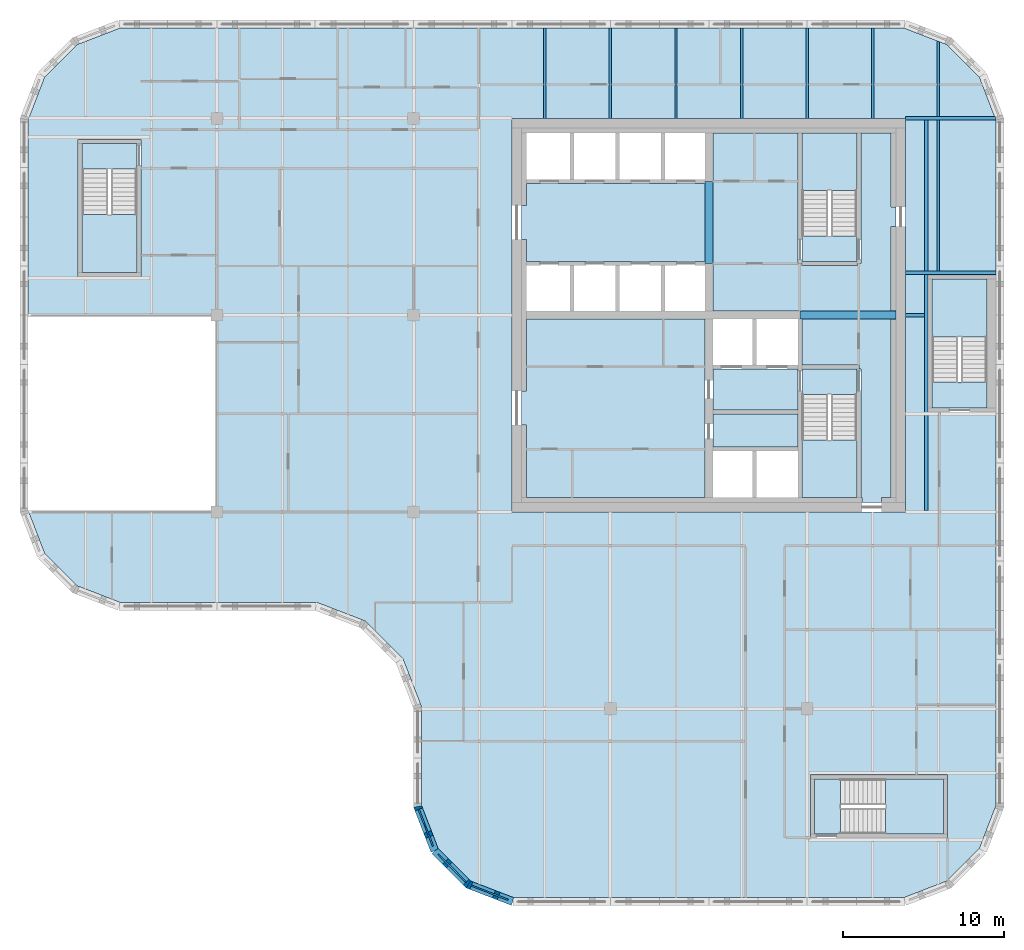
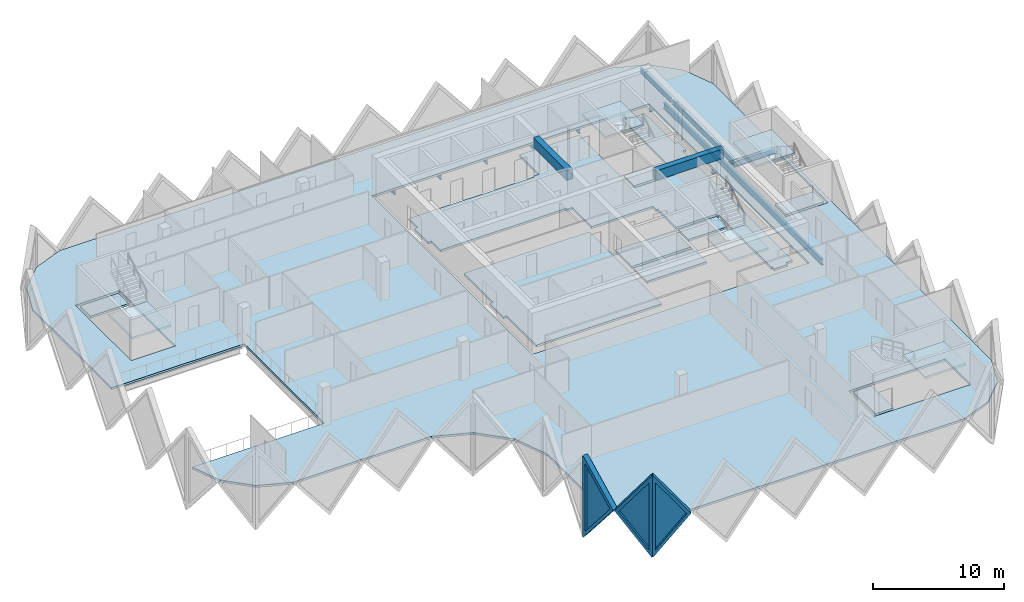
# One storey, part 2 of 11: 15 slabs, 14 beams, 3 plates, 3 walls, 3 openings, 5 elements without a shape of their own.
"""IFC4 building model written with IfcOpenShell, lengths in metres."""

from ifc_helpers import new_model, si_unit, direction, frame, origin, origin_2d, place, context, subcontext, project, spatial, polyline, rectangle, i_section, outline, extrude, faceted_brep, source, transform, mapped, material, layer, layer_set, material_profile, profile_set, type_object, element, fill, aggregate, save


model = new_model("IFC4")

# Units and contexts
model_context = context("Model", 3, precision=1e-05, world=origin(), true_north=direction((0.0, 1.0)))
body_context = subcontext(model_context, "Body", "Model", "MODEL_VIEW")
ifc_project = project(units=[si_unit("LENGTHUNIT", "METRE"), si_unit("AREAUNIT", "SQUARE_METRE"), si_unit("VOLUMEUNIT", "CUBIC_METRE"), si_unit("PLANEANGLEUNIT", "RADIAN"), si_unit("MASSUNIT", "GRAM", prefix="KILO")], contexts=[model_context])

# Site, building, storey
site_placement = place(None, origin())
site = spatial("IfcSite", under=ifc_project, at=site_placement, CompositionType="ELEMENT")
building_placement = place(site_placement, origin())
building = spatial("IfcBuilding", under=site, at=building_placement, Name="Tessera Gate Towers", CompositionType="ELEMENT")
storey_placement = place(building_placement, frame((0.0, 0.0, 166.800048828125)))
storey = spatial("IfcBuildingStorey", under=building, at=storey_placement, Name="L41", CompositionType="ELEMENT", Elevation=166.800048828125)

# Beams
ifc_material_1 = material(Name="Concrete C50/60", Category="concrete")
ifc_material_profile_1 = material_profile(ifc_material_1, rectangle(XDim=0.5, YDim=0.89990234375, at=origin_2d()), Name="RC 500x900")
ifc_profile_set_1 = profile_set([ifc_material_profile_1], Name="Concrete C50/60")
beam_type_1 = type_object("IfcBeamType", Name="COUPLING BEAM 500x900 C50/60", PredefinedType="BEAM", material=ifc_profile_set_1)
beam_1_placement = place(storey_placement, frame((48.35009765625, 36.60009765625, 3.14990234375), z_axis=(1.0, 0.0, 0.0), x_axis=(0.0, 1.0, 0.0)))
element("IfcBeam", 1, at=beam_1_placement, inside=storey, type_object=beam_type_1, Name="L41 coupling beam 1", PredefinedType="BEAM", context=body_context, shape_type="SweptSolid", body=[
    extrude(rectangle(XDim=0.5, YDim=0.89990234375, at=origin_2d()), origin(), (0.0, 0.0, 1.0), 5.949951171875),
])
beam_2_placement = place(storey_placement, frame((42.699951171875, 39.800048828125, 3.14990234375), z_axis=(0.0, 1.0, 0.0), x_axis=(-1.0, 0.0, 0.0)))
element("IfcBeam", 2, at=beam_2_placement, inside=storey, type_object=beam_type_1, Name="L41 coupling beam 2", PredefinedType="BEAM", context=body_context, shape_type="SweptSolid", body=[
    extrude(rectangle(XDim=0.5, YDim=0.89990234375, at=origin_2d()), origin(), (0.0, 0.0, 1.0), 5.099853515625),
])
ifc_material_2 = material(Name="Steel 350W", Category="steel")
ifc_material_profile_2 = material_profile(ifc_material_2, i_section(OverallWidth=0.208984375, OverallDepth=0.532958984375, WebThickness=0.01025390625, FlangeThickness=0.015625, at=origin_2d()), Name="W530x92")
ifc_profile_set_2 = profile_set([ifc_material_profile_2], Name="Steel 350W")
beam_type_2 = type_object("IfcBeamType", Name="FLOOR GIRDER W530x92", PredefinedType="BEAM", material=ifc_profile_set_2)
beam_3_placement = place(storey_placement, frame((54.89892578125, 36.60009765625, -0.466552734375), z_axis=(1.0, 0.0, 0.0), x_axis=(0.0, 1.0, 0.0)))
element("IfcBeam", 3, at=beam_3_placement, inside=storey, type_object=beam_type_2, Name="T1-GD-L41-4600", PredefinedType="BEAM", context=body_context, shape_type="SweptSolid", body=[
    extrude(i_section(OverallWidth=0.208984375, OverallDepth=0.532958984375, WebThickness=0.01025390625, FlangeThickness=0.015625, at=origin_2d()), origin(), (0.0, 0.0, 1.0), 1.176513671875),
])
beam_4_placement = place(storey_placement, frame((54.90087890625, 48.800048828125, -0.466552734375), z_axis=(1.0, 0.0, 0.0), x_axis=(0.0, 1.0, 0.0)))
element("IfcBeam", 4, at=beam_4_placement, inside=storey, type_object=beam_type_2, Name="T1-GD-L41-4604", PredefinedType="BEAM", context=body_context, shape_type="SweptSolid", body=[
    extrude(i_section(OverallWidth=0.208984375, OverallDepth=0.532958984375, WebThickness=0.01025390625, FlangeThickness=0.015625, at=origin_2d()), origin(), (0.0, 0.0, 1.0), 5.564208984375),
])
beam_5_placement = place(storey_placement, frame((54.89892578125, 39.219970703125, -0.466552734375), z_axis=(1.0, 0.0, 0.0), x_axis=(0.0, 1.0, 0.0)))
element("IfcBeam", 5, at=beam_5_placement, inside=storey, type_object=beam_type_2, Name="T1-GD-L41-4622", PredefinedType="BEAM", context=body_context, shape_type="SweptSolid", body=[
    extrude(i_section(OverallWidth=0.208984375, OverallDepth=0.532958984375, WebThickness=0.01025390625, FlangeThickness=0.015625, at=origin_2d()), origin(), (0.0, 0.0, 1.0), 5.60205078125),
])
beam_6_placement = place(storey_placement, frame((56.179931640625, 24.50439453125, -0.466552734375), z_axis=(0.0, 1.0, 0.0), x_axis=(-1.0, 0.0, 0.0)))
element("IfcBeam", 6, at=beam_6_placement, inside=storey, type_object=beam_type_2, Name="T1-GD-L41-4623", PredefinedType="BEAM", context=body_context, shape_type="SweptSolid", body=[
    extrude(i_section(OverallWidth=0.208984375, OverallDepth=0.532958984375, WebThickness=0.01025390625, FlangeThickness=0.015625, at=origin_2d()), origin(), (0.0, 0.0, 1.0), 24.191162109375),
])
ifc_material_3 = material(Name="Steel 350W", Category="steel")
ifc_material_profile_3 = material_profile(ifc_material_3, i_section(OverallWidth=0.153076171875, OverallDepth=0.455078125, WebThickness=0.008056640625, FlangeThickness=0.01318359375, at=origin_2d()), Name="W460x60")
ifc_profile_set_3 = profile_set([ifc_material_profile_3], Name="Steel 350W")
beam_type_3 = type_object("IfcBeamType", Name="FLOOR SECONDARY W460x60", PredefinedType="BEAM", material=ifc_profile_set_3)
for number, where, z_axis, x_axis, name in (
    (7, (32.533203125, 48.800048828125, -0.427490234375), (0.0, 1.0, 0.0), (-1.0, 0.0, 0.0), "T1-BM-L41-4645"),
    (8, (36.60009765625, 48.800048828125, -0.427490234375), (0.0, 1.0, 0.0), (-1.0, 0.0, 0.0), "T1-BM-L41-4646"),
    (9, (40.666748046875, 48.800048828125, -0.427490234375), (0.0, 1.0, 0.0), (-1.0, 0.0, 0.0), "T1-BM-L41-4649"),
    (10, (44.7333984375, 48.800048828125, -0.427490234375), (0.0, 1.0, 0.0), (-1.0, 0.0, 0.0), "T1-BM-L41-4652"),
    (11, (48.800048828125, 48.800048828125, -0.427490234375), (0.0, 1.0, 0.0), (-1.0, 0.0, 0.0), "T1-BM-L41-4653"),
    (12, (52.86669921875, 48.800048828125, -0.427490234375), (0.0, 1.0, 0.0), (-1.0, 0.0, 0.0), "T1-BM-L41-4657"),
):
    element("IfcBeam", number, at=place(storey_placement, frame(where, z_axis=z_axis, x_axis=x_axis)), inside=storey, type_object=beam_type_3, Name=name, PredefinedType="BEAM", context=body_context, shape_type="SweptSolid", body=[
        extrude(i_section(OverallWidth=0.153076171875, OverallDepth=0.455078125, WebThickness=0.008056640625, FlangeThickness=0.01318359375, at=origin_2d()), origin(), (0.0, 0.0, 1.0), 5.599853515625),
    ])
beam_7_placement = place(storey_placement, frame((56.933349609375, 39.324462890625, -0.427490234375), z_axis=(0.0, 1.0, 0.0), x_axis=(-1.0, 0.0, 0.0)))
element("IfcBeam", 13, at=beam_7_placement, inside=storey, type_object=beam_type_3, Name="T1-BM-L41-4662", PredefinedType="BEAM", context=body_context, shape_type="SweptSolid", body=[
    extrude(i_section(OverallWidth=0.153076171875, OverallDepth=0.455078125, WebThickness=0.008056640625, FlangeThickness=0.01318359375, at=origin_2d()), origin(), (0.0, 0.0, 1.0), 9.37109375),
])
beam_8_placement = place(storey_placement, frame((56.933349609375, 48.904541015625, -0.427490234375), z_axis=(0.0, 1.0, 0.0), x_axis=(-1.0, 0.0, 0.0)))
element("IfcBeam", 14, at=beam_8_placement, inside=storey, type_object=beam_type_3, Name="T1-BM-L41-4663", PredefinedType="BEAM", context=body_context, shape_type="SweptSolid", body=[
    extrude(i_section(OverallWidth=0.153076171875, OverallDepth=0.455078125, WebThickness=0.008056640625, FlangeThickness=0.01318359375, at=origin_2d()), origin(), (0.0, 0.0, 1.0), 4.675048828125),
])

# Slabs
ifc_material_4 = material(Name="Concrete C35/45", Category="concrete")
ifc_layer_1 = layer(ifc_material_4, 0.199951171875)
ifc_layer_set_1 = layer_set([ifc_layer_1], Name="COMPOSITE FLOOR 200")
slab_type_1 = type_object("IfcSlabType", Name="COMPOSITE FLOOR 200", PredefinedType="FLOOR", material=ifc_layer_set_1)
slab_1_placement = place(storey_placement, frame((0.0, 0.0, -0.199951171875)))
element("IfcSlab", 15, at=slab_1_placement, inside=storey, type_object=slab_type_1, Name="T1-L41", PredefinedType="FLOOR", context=body_context, shape_type="SweptSolid", body=[
    extrude(outline(polyline([(0.5, 36.60009765625), (12.199951171875, 36.60009765625), (12.199951171875, 24.39990234375), (0.535888671875, 24.39990234375), (1.526123046875, 21.8330078125), (3.533203125, 19.826171875), (6.193115234375, 18.800048828125), (18.39306640625, 18.800048828125), (21.42431640625, 17.630615234375), (23.730712890625, 15.32421875), (24.89990234375, 12.293212890625), (24.89990234375, 6.193115234375), (25.926025390625, 3.533203125), (27.93310546875, 1.526123046875), (30.593017578125, 0.5), (54.806884765625, 0.5), (57.466796875, 1.526123046875), (59.473876953125, 3.533203125), (60.5, 6.193115234375), (60.5, 48.706787109375), (59.473876953125, 51.366943359375), (57.466796875, 53.373779296875), (54.806884765625, 54.39990234375), (6.193115234375, 54.39990234375), (3.533203125, 53.373779296875), (1.526123046875, 51.366943359375), (0.5, 48.706787109375), (0.5, 36.60009765625)]), holes=[polyline([(3.60009765625, 39.0), (3.60009765625, 47.5), (7.5, 47.5), (7.5, 39.0), (3.60009765625, 39.0)]), polyline([(30.5, 24.39990234375), (30.5, 48.800048828125), (54.89990234375, 48.800048828125), (54.89990234375, 24.39990234375), (30.5, 24.39990234375)]), polyline([(49.0, 4.199951171875), (49.0, 8.10009765625), (57.5, 8.10009765625), (57.5, 4.199951171875), (49.0, 4.199951171875)]), polyline([(56.300048828125, 30.60009765625), (56.300048828125, 39.10009765625), (60.199951171875, 39.10009765625), (60.199951171875, 30.60009765625), (56.300048828125, 30.60009765625)])]), origin(), (0.0, 0.0, 1.0), 0.199951171875),
])
ifc_material_5 = material(Name="Concrete C35/45", Category="concrete")
ifc_layer_2 = layer(ifc_material_5, 0.199951171875)
ifc_layer_set_2 = layer_set([ifc_layer_2], Name="CORE FLOOR SLAB 200")
slab_type_2 = type_object("IfcSlabType", Name="CORE FLOOR SLAB 200", PredefinedType="FLOOR", material=ifc_layer_set_2)
slab_2_placement = place(storey_placement, frame((0.0, 0.0, -0.199951171875)))
element("IfcSlab", 16, at=slab_2_placement, inside=storey, type_object=slab_type_2, Name="L41 core floor slab", PredefinedType="FLOOR", context=body_context, shape_type="SweptSolid", body=[
    extrude(outline(polyline([(42.449951171875, 44.89990234375), (42.449951171875, 44.77490234375), (31.39990234375, 44.77490234375), (31.39990234375, 43.39990234375), (31.10009765625, 43.39990234375), (31.10009765625, 41.300048828125), (31.39990234375, 41.300048828125), (31.39990234375, 39.925048828125), (42.449951171875, 39.925048828125), (42.449951171875, 39.800048828125), (42.949951171875, 39.800048828125), (42.949951171875, 36.85009765625), (48.35009765625, 36.85009765625), (48.35009765625, 36.35009765625), (48.47509765625, 36.35009765625), (48.47509765625, 33.52490234375), (52.0, 33.52490234375), (52.0, 33.27490234375), (52.125, 33.27490234375), (52.125, 25.300048828125), (52.199951171875, 25.300048828125), (52.199951171875, 25.0), (53.39990234375, 25.0), (53.39990234375, 25.300048828125), (54.0, 25.300048828125), (54.0, 36.320068359375), (54.300048828125, 36.320068359375), (54.300048828125, 36.8798828125), (54.0, 36.8798828125), (54.0, 42.10009765625), (54.300048828125, 42.10009765625), (54.300048828125, 43.300048828125), (54.0, 43.300048828125), (54.0, 47.89990234375), (52.125, 47.89990234375), (52.125, 39.800048828125), (51.875, 39.800048828125), (51.875, 39.675048828125), (48.47509765625, 39.675048828125), (48.47509765625, 39.800048828125), (48.22509765625, 39.800048828125), (48.22509765625, 47.89990234375), (42.949951171875, 47.89990234375), (42.949951171875, 44.89990234375), (42.449951171875, 44.89990234375)])), origin(), (0.0, 0.0, 1.0), 0.199951171875),
])
slab_3_placement = place(storey_placement, frame((0.0, 0.0, -0.199951171875)))
element("IfcSlab", 17, at=slab_3_placement, inside=storey, type_object=slab_type_2, Name="L41 core floor slab", PredefinedType="FLOOR", context=body_context, shape_type="SweptSolid", body=[
    extrude(outline(polyline([(31.39990234375, 36.35009765625), (31.39990234375, 31.89990234375), (31.10009765625, 31.89990234375), (31.10009765625, 29.800048828125), (31.39990234375, 29.800048828125), (31.39990234375, 25.300048828125), (42.449951171875, 25.300048828125), (42.449951171875, 36.35009765625), (31.39990234375, 36.35009765625)])), origin(), (0.0, 0.0, 1.0), 0.199951171875),
])
slab_4_placement = place(storey_placement, frame((0.0, 0.0, -0.199951171875)))
element("IfcSlab", 18, at=slab_4_placement, inside=storey, type_object=slab_type_2, Name="L41 core floor slab", PredefinedType="FLOOR", context=body_context, shape_type="SweptSolid", body=[
    extrude(outline(polyline([(42.949951171875, 33.27490234375), (42.949951171875, 30.72509765625), (48.22509765625, 30.72509765625), (48.22509765625, 33.27490234375), (42.949951171875, 33.27490234375)])), origin(), (0.0, 0.0, 1.0), 0.199951171875),
])
slab_5_placement = place(storey_placement, frame((0.0, 0.0, -0.199951171875)))
element("IfcSlab", 19, at=slab_5_placement, inside=storey, type_object=slab_type_2, Name="L41 core floor slab", PredefinedType="FLOOR", context=body_context, shape_type="SweptSolid", body=[
    extrude(outline(polyline([(48.22509765625, 30.47509765625), (42.949951171875, 30.47509765625), (42.949951171875, 28.425048828125), (48.22509765625, 28.425048828125), (48.22509765625, 30.47509765625)])), origin(), (0.0, 0.0, 1.0), 0.199951171875),
])
slab_6_placement = place(storey_placement, frame((0.0, 0.0, -0.199951171875)))
element("IfcSlab", 20, at=slab_6_placement, inside=storey, type_object=slab_type_2, Name="L41 core floor slab", PredefinedType="FLOOR", context=body_context, shape_type="SweptSolid", body=[
    extrude(outline(polyline([(51.875, 31.675048828125), (51.875, 33.27490234375), (48.47509765625, 33.27490234375), (48.47509765625, 31.675048828125), (51.875, 31.675048828125)])), origin(), (0.0, 0.0, 1.0), 0.199951171875),
])
slab_7_placement = place(storey_placement, frame((0.0, 0.0, -0.199951171875)))
element("IfcSlab", 21, at=slab_7_placement, inside=storey, type_object=slab_type_2, Name="L41 core floor slab", PredefinedType="FLOOR", context=body_context, shape_type="SweptSolid", body=[
    extrude(outline(polyline([(48.47509765625, 41.52490234375), (48.47509765625, 39.925048828125), (51.875, 39.925048828125), (51.875, 41.52490234375), (48.47509765625, 41.52490234375)])), origin(), (0.0, 0.0, 1.0), 0.199951171875),
])
slab_8_placement = place(storey_placement, frame((0.0, 0.0, -0.199951171875)))
element("IfcSlab", 22, at=slab_8_placement, inside=storey, type_object=slab_type_2, Name="L41 ST3 floor landing", PredefinedType="FLOOR", context=body_context, shape_type="SweptSolid", body=[
    extrude(outline(polyline([(3.85009765625, 47.25), (3.85009765625, 45.64990234375), (7.25, 45.64990234375), (7.25, 47.25), (3.85009765625, 47.25)])), origin(), (0.0, 0.0, 1.0), 0.199951171875),
])
slab_9_placement = place(storey_placement, frame((0.0, 0.0, -0.199951171875)))
element("IfcSlab", 23, at=slab_9_placement, inside=storey, type_object=slab_type_2, Name="L41 ST4 floor landing", PredefinedType="FLOOR", context=body_context, shape_type="SweptSolid", body=[
    extrude(outline(polyline([(49.25, 4.449951171875), (50.85009765625, 4.449951171875), (50.85009765625, 7.85009765625), (49.25, 7.85009765625), (49.25, 4.449951171875)])), origin(), (0.0, 0.0, 1.0), 0.199951171875),
])
slab_10_placement = place(storey_placement, frame((0.0, 0.0, -0.199951171875)))
element("IfcSlab", 24, at=slab_10_placement, inside=storey, type_object=slab_type_2, Name="L41 ST5 floor landing", PredefinedType="FLOOR", context=body_context, shape_type="SweptSolid", body=[
    extrude(outline(polyline([(59.949951171875, 30.85009765625), (59.949951171875, 32.449951171875), (56.550048828125, 32.449951171875), (56.550048828125, 30.85009765625), (59.949951171875, 30.85009765625)])), origin(), (0.0, 0.0, 1.0), 0.199951171875),
])

# Stair, slab
ifc_material_6 = material(Name="Concrete C40/50", Category="concrete")
stair_type_1 = type_object("IfcStairType", Name="EXIT STAIR ST1 1600", PredefinedType="HALF_TURN_STAIR", material=ifc_material_6)
stair_1_placement = place(storey_placement, origin())
stair_1 = element("IfcStair", 25, at=stair_1_placement, inside=storey, type_object=stair_type_1, Name="L41 Protected Exit Stair ST1", PredefinedType="HALF_TURN_STAIR")
ifc_material_7 = material(Name="Concrete C40/50", Category="concrete")
ifc_layer_3 = layer(ifc_material_7, 0.199951171875)
ifc_layer_set_3 = layer_set([ifc_layer_3], Name="EXIT STAIR LANDING 200")
slab_type_3 = type_object("IfcSlabType", Name="EXIT STAIR LANDING 200", PredefinedType="LANDING", material=ifc_layer_set_3)
slab_11_placement = place(storey_placement, frame((0.0, 0.0, 1.699951171875)))
slab_11 = element("IfcSlab", 26, at=slab_11_placement, type_object=slab_type_3, Name="ST1 landing 1", PredefinedType="LANDING", context=body_context, shape_type="SweptSolid", body=[
    extrude(outline(polyline([(48.47509765625, 28.875), (48.47509765625, 25.300048828125), (51.875, 25.300048828125), (51.875, 28.875), (48.47509765625, 28.875)])), origin(), (0.0, 0.0, 1.0), 0.199951171875),
])
aggregate(stair_1, [slab_11])

ifc_material_8 = material(Name="Concrete C40/50", Category="concrete")
stair_type_2 = type_object("IfcStairType", Name="EXIT STAIR ST2 1600", PredefinedType="HALF_TURN_STAIR", material=ifc_material_8)
stair_2_placement = place(storey_placement, origin())
stair_2 = element("IfcStair", 27, at=stair_2_placement, inside=storey, type_object=stair_type_2, Name="L41 Protected Exit Stair ST2", PredefinedType="HALF_TURN_STAIR")
slab_12_placement = place(storey_placement, frame((0.0, 0.0, 1.699951171875)))
slab_12 = element("IfcSlab", 28, at=slab_12_placement, type_object=slab_type_3, Name="ST2 landing 1", PredefinedType="LANDING", context=body_context, shape_type="SweptSolid", body=[
    extrude(outline(polyline([(51.875, 44.324951171875), (51.875, 47.89990234375), (48.47509765625, 47.89990234375), (48.47509765625, 44.324951171875), (51.875, 44.324951171875)])), origin(), (0.0, 0.0, 1.0), 0.199951171875),
])
aggregate(stair_2, [slab_12])

ifc_material_9 = material(Name="Concrete C40/50", Category="concrete")
stair_type_3 = type_object("IfcStairType", Name="EXIT STAIR ST3 1600", PredefinedType="HALF_TURN_STAIR", material=ifc_material_9)
stair_3_placement = place(storey_placement, origin())
stair_3 = element("IfcStair", 29, at=stair_3_placement, inside=storey, type_object=stair_type_3, Name="L41 West Exit Stair ST3", PredefinedType="HALF_TURN_STAIR")
slab_13_placement = place(storey_placement, frame((0.0, 0.0, 1.699951171875)))
slab_13 = element("IfcSlab", 30, at=slab_13_placement, type_object=slab_type_3, Name="ST3 landing 1", PredefinedType="LANDING", context=body_context, shape_type="SweptSolid", body=[
    extrude(outline(polyline([(3.85009765625, 42.85009765625), (3.85009765625, 39.25), (7.25, 39.25), (7.25, 42.85009765625), (3.85009765625, 42.85009765625)])), origin(), (0.0, 0.0, 1.0), 0.199951171875),
])
aggregate(stair_3, [slab_13])

ifc_material_10 = material(Name="Concrete C40/50", Category="concrete")
stair_type_4 = type_object("IfcStairType", Name="EXIT STAIR ST4 1600", PredefinedType="HALF_TURN_STAIR", material=ifc_material_10)
stair_4_placement = place(storey_placement, origin())
stair_4 = element("IfcStair", 31, at=stair_4_placement, inside=storey, type_object=stair_type_4, Name="L41 South Exit Stair ST4", PredefinedType="HALF_TURN_STAIR")
slab_14_placement = place(storey_placement, frame((0.0, 0.0, 1.699951171875)))
slab_14 = element("IfcSlab", 32, at=slab_14_placement, type_object=slab_type_3, Name="ST4 landing 1", PredefinedType="LANDING", context=body_context, shape_type="SweptSolid", body=[
    extrude(outline(polyline([(53.64990234375, 4.449951171875), (57.25, 4.449951171875), (57.25, 7.85009765625), (53.64990234375, 7.85009765625), (53.64990234375, 4.449951171875)])), origin(), (0.0, 0.0, 1.0), 0.199951171875),
])
aggregate(stair_4, [slab_14])

ifc_material_11 = material(Name="Concrete C40/50", Category="concrete")
stair_type_5 = type_object("IfcStairType", Name="EXIT STAIR ST5 1600", PredefinedType="HALF_TURN_STAIR", material=ifc_material_11)
stair_5_placement = place(storey_placement, origin())
stair_5 = element("IfcStair", 33, at=stair_5_placement, inside=storey, type_object=stair_type_5, Name="L41 East Exit Stair ST5", PredefinedType="HALF_TURN_STAIR")
slab_15_placement = place(storey_placement, frame((0.0, 0.0, 1.699951171875)))
slab_15 = element("IfcSlab", 34, at=slab_15_placement, type_object=slab_type_3, Name="ST5 landing 1", PredefinedType="LANDING", context=body_context, shape_type="SweptSolid", body=[
    extrude(outline(polyline([(59.949951171875, 35.25), (59.949951171875, 38.85009765625), (56.550048828125, 38.85009765625), (56.550048828125, 35.25), (59.949951171875, 35.25)])), origin(), (0.0, 0.0, 1.0), 0.199951171875),
])
aggregate(stair_5, [slab_15])

# Wall, opening, plate
ifc_material_12 = material(Name="Precast concrete C60/75 white", Category="concrete")
ifc_layer_4 = layer(ifc_material_12, 0.5)
ifc_layer_set_4 = layer_set([ifc_layer_4], Name="TS3 corner tessera")
wall_type = type_object("IfcWallType", Name="TS3 corner tessera", PredefinedType="SOLIDWALL", material=ifc_layer_set_4)
shared_shape_1 = source(origin(), body_context, "Body", "Brep", [
    faceted_brep([(0.046630859375, -0.25, 0.0), (2.9970703125, -0.25, 3.800048828125), (0.046630859375, -0.25, 7.60009765625), (0.0, -0.25, 7.541259765625), (0.0, -0.25, 0.058837890625), (0.09326171875, 0.25, 7.5400390625), (2.9443359375, 0.25, 3.8681640625), (2.9443359375, 0.25, 3.73193359375), (0.09326171875, 0.25, 0.06005859375), (2.9970703125, 0.00048828125, 3.800048828125), (0.046630859375, 0.0, 0.0), (0.046630859375, 0.0, 7.60009765625)], [[[0, 1, 2, 3, 4]], [[5, 6, 7, 8]], [[8, 7, 9, 1, 0, 10]], [[6, 5, 11, 2, 1, 9]], [[3, 2, 11]], [[10, 0, 4]], [[8, 10, 4, 3, 11, 5]], [[9, 7, 6]]]),
])
wall_1_placement = place(storey_placement, frame((24.63330078125, 6.18994140625, -3.800048828125), z_axis=(0.0, 0.0, 1.0), x_axis=(0.359901446078, -0.932990326376, 0.0)))
wall_1 = element("IfcWall", 35, at=wall_1_placement, inside=storey, type_object=wall_type, Name="Precast corner tessera T1 TS3-0958", PredefinedType="SOLIDWALL", context=body_context, shape_type="MappedRepresentation", body=[
    mapped(shared_shape_1, transform((0.0, 0.0, 0.0), scale=1.0)),
])
shared_shape_2 = source(origin(), body_context, "Body", "SweptSolid", [
    extrude(outline(polyline([(0.24658203125, 0.665283203125), (2.6806640625, 3.800048828125), (0.24658203125, 6.934814453125), (0.24658203125, 0.665283203125)])), frame((0.0, 0.260009765625, 0.0), z_axis=(0.0, -1.0, 0.0), x_axis=(1.0, 0.0, 0.0)), (0.0, 0.0, 1.0), 0.52001953125),
])
opening_1_placement = place(wall_1_placement, origin())
opening_1 = element("IfcOpeningElement", 36, at=opening_1_placement, cuts=wall_1, Name="Opening T1-PL2-1454", PredefinedType="OPENING", context=body_context, shape_type="MappedRepresentation", body=[
    mapped(shared_shape_2, transform((0.0, 0.0, 0.0), scale=1.0)),
])
ifc_material_13 = material(Name="Low-e laminated glass", Category="glass")
ifc_layer_5 = layer(ifc_material_13, 0.06005859375)
ifc_layer_set_5 = layer_set([ifc_layer_5], Name="PL2 rhombic pane")
plate_type = type_object("IfcPlateType", Name="PL2 rhombic pane", PredefinedType="SHEET", material=ifc_layer_set_5)
shared_shape_3 = source(origin(), body_context, "Body", "SweptSolid", [
    extrude(outline(polyline([(0.24658203125, 0.665283203125), (2.6806640625, 3.800048828125), (0.24658203125, 6.934814453125), (0.24658203125, 0.665283203125)])), frame((0.0, 0.030029296875, 0.0), z_axis=(0.0, -1.0, 0.0), x_axis=(1.0, 0.0, 0.0)), (0.0, 0.0, 1.0), 0.06005859375),
])
plate_1_placement = place(opening_1_placement, origin())
plate_1 = element("IfcPlate", 37, at=plate_1_placement, inside=storey, type_object=plate_type, Name="Glass pane T1 PL2-1454", PredefinedType="SHEET", context=body_context, shape_type="MappedRepresentation", body=[
    mapped(shared_shape_3, transform((0.0, 0.0, 0.0), scale=1.0)),
])
fill(opening_1, plate_1)

shared_shape_4 = source(origin(), body_context, "Body", "Brep", [
    faceted_brep([(0.052978515625, -0.25, 0.0), (3.00341796875, -0.25, 3.800048828125), (0.052978515625, -0.25, 7.60009765625), (0.0, -0.25, 7.53173828125), (0.0, -0.25, 0.068359375), (0.10595703125, 0.25, 7.531982421875), (2.95703125, 0.25, 3.85986328125), (2.95703125, 0.25, 3.740234375), (0.10595703125, 0.25, 0.068115234375), (3.00341796875, 0.00048828125, 3.800048828125), (0.052978515625, 0.0, 0.0), (0.052978515625, 0.0, 7.60009765625)], [[[0, 1, 2, 3, 4]], [[5, 6, 7, 8]], [[8, 7, 9, 1, 0, 10]], [[6, 5, 11, 2, 1, 9]], [[3, 2, 11]], [[10, 0, 4]], [[8, 10, 4, 3, 11, 5]], [[9, 7, 6]]]),
])
wall_2_placement = place(storey_placement, frame((27.744384765625, 1.3310546875, -3.800048828125), z_axis=(0.0, 0.0, 1.0), x_axis=(0.932970071518, -0.359953949349, 0.0)))
wall_2 = element("IfcWall", 38, at=wall_2_placement, inside=storey, type_object=wall_type, Name="Precast corner tessera T1 TS3-0960", PredefinedType="SOLIDWALL", context=body_context, shape_type="MappedRepresentation", body=[
    mapped(shared_shape_4, transform((0.0, 0.0, 0.0), scale=1.0)),
])
shared_shape_5 = source(origin(), body_context, "Body", "SweptSolid", [
    extrude(outline(polyline([(0.2529296875, 0.665283203125), (2.68701171875, 3.800048828125), (0.2529296875, 6.934814453125), (0.2529296875, 0.665283203125)])), frame((0.0, 0.260009765625, 0.0), z_axis=(0.0, -1.0, 0.0), x_axis=(1.0, 0.0, 0.0)), (0.0, 0.0, 1.0), 0.52001953125),
])
opening_2_placement = place(wall_2_placement, origin())
opening_2 = element("IfcOpeningElement", 39, at=opening_2_placement, cuts=wall_2, Name="Opening T1-PL2-1456", PredefinedType="OPENING", context=body_context, shape_type="MappedRepresentation", body=[
    mapped(shared_shape_5, transform((0.0, 0.0, 0.0), scale=1.0)),
])
shared_shape_6 = source(origin(), body_context, "Body", "SweptSolid", [
    extrude(outline(polyline([(0.2529296875, 0.665283203125), (2.68701171875, 3.800048828125), (0.2529296875, 6.934814453125), (0.2529296875, 0.665283203125)])), frame((0.0, 0.030029296875, 0.0), z_axis=(0.0, -1.0, 0.0), x_axis=(1.0, 0.0, 0.0)), (0.0, 0.0, 1.0), 0.06005859375),
])
plate_2_placement = place(opening_2_placement, origin())
plate_2 = element("IfcPlate", 40, at=plate_2_placement, inside=storey, type_object=plate_type, Name="Glass pane T1 PL2-1456", PredefinedType="SHEET", context=body_context, shape_type="MappedRepresentation", body=[
    mapped(shared_shape_6, transform((0.0, 0.0, 0.0), scale=1.0)),
])
fill(opening_2, plate_2)

shared_shape_7 = source(origin(), body_context, "Body", "Brep", [
    faceted_brep([(2.944091796875, -0.25, 0.0), (2.9970703125, -0.25, 0.068115234375), (2.9970703125, -0.25, 7.531982421875), (2.944091796875, -0.25, 7.60009765625), (0.0, -0.25, 3.800048828125), (0.052978515625, 0.25, 3.868408203125), (2.89111328125, 0.25, 7.531982421875), (2.89111328125, 0.25, 0.068115234375), (0.052978515625, 0.25, 3.731689453125), (2.944091796875, 0.000244140625, 0.0), (2.944091796875, 0.000244140625, 7.60009765625), (0.0, 0.0, 3.800048828125)], [[[0, 1, 2, 3, 4]], [[5, 6, 7, 8]], [[1, 0, 9]], [[10, 3, 2]], [[6, 5, 11, 4, 3, 10]], [[8, 7, 9, 0, 4, 11]], [[8, 11, 5]], [[1, 9, 7, 6, 10, 2]]]),
])
wall_3_placement = place(storey_placement, frame((25.7119140625, 3.393798828125, -3.800048828125), z_axis=(0.0, 0.0, 1.0), x_axis=(0.707066050402, -0.707147509625, 0.0)))
wall_3 = element("IfcWall", 41, at=wall_3_placement, inside=storey, type_object=wall_type, Name="Precast corner tessera T1 TS3-0959", PredefinedType="SOLIDWALL", context=body_context, shape_type="MappedRepresentation", body=[
    mapped(shared_shape_7, transform((0.0, 0.0, 0.0), scale=1.0)),
])
shared_shape_8 = source(origin(), body_context, "Body", "SweptSolid", [
    extrude(outline(polyline([(2.744140625, 6.93359375), (0.316162109375, 3.800048828125), (2.744140625, 0.666259765625), (2.744140625, 6.93359375)])), frame((0.0, 0.260009765625, 0.0), z_axis=(0.0, -1.0, 0.0), x_axis=(1.0, 0.0, 0.0)), (0.0, 0.0, 1.0), 0.52001953125),
])
opening_3_placement = place(wall_3_placement, origin())
opening_3 = element("IfcOpeningElement", 42, at=opening_3_placement, cuts=wall_3, Name="Opening T1-PL2-1455", PredefinedType="OPENING", context=body_context, shape_type="MappedRepresentation", body=[
    mapped(shared_shape_8, transform((0.0, 0.0, 0.0), scale=1.0)),
])
shared_shape_9 = source(origin(), body_context, "Body", "SweptSolid", [
    extrude(outline(polyline([(2.744140625, 6.93359375), (0.316162109375, 3.800048828125), (2.744140625, 0.666259765625), (2.744140625, 6.93359375)])), frame((0.0, 0.030029296875, 0.0), z_axis=(0.0, -1.0, 0.0), x_axis=(1.0, 0.0, 0.0)), (0.0, 0.0, 1.0), 0.06005859375),
])
plate_3_placement = place(opening_3_placement, origin())
plate_3 = element("IfcPlate", 43, at=plate_3_placement, inside=storey, type_object=plate_type, Name="Glass pane T1 PL2-1455", PredefinedType="SHEET", context=body_context, shape_type="MappedRepresentation", body=[
    mapped(shared_shape_9, transform((0.0, 0.0, 0.0), scale=1.0)),
])
fill(opening_3, plate_3)

save(model, "model.ifc")
